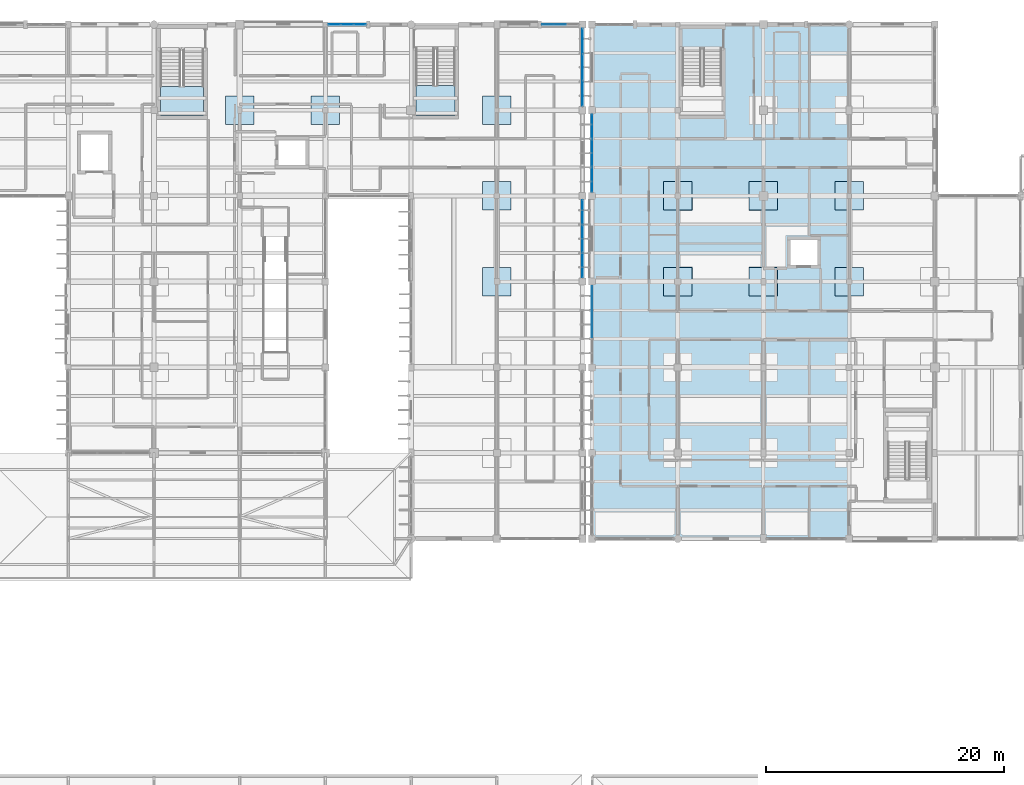
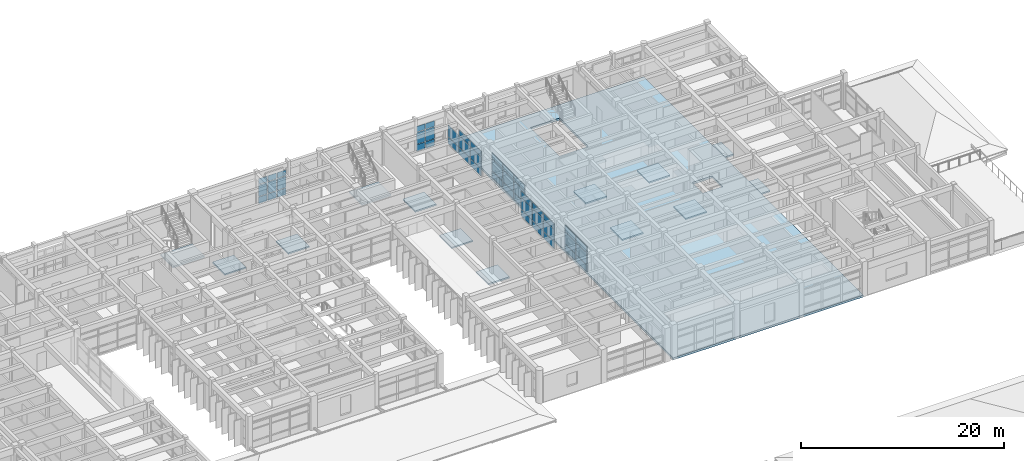
# One storey, part 54 of 100: 47 plates, 14 slabs, 8 elements without a shape of their own.
"""IFC4 building model written with IfcOpenShell, lengths in metres."""

from ifc_helpers import new_model, si_unit, direction, frame, origin, origin_2d, place, context, subcontext, project, spatial, polyline, rectangle, outline, extrude, material, layer, layer_set, type_object, element, aggregate, save


model = new_model("IFC4")

# Units and contexts
model_context = context("Model", 3, precision=1e-05, world=origin(), true_north=direction((0.0, 1.0)))
body_context = subcontext(model_context, "Body", "Model", "MODEL_VIEW")
ifc_project = project(units=[si_unit("LENGTHUNIT", "METRE"), si_unit("AREAUNIT", "SQUARE_METRE"), si_unit("VOLUMEUNIT", "CUBIC_METRE"), si_unit("PLANEANGLEUNIT", "RADIAN"), si_unit("MASSUNIT", "GRAM", prefix="KILO")], contexts=[model_context])

# Site, building, storey
site_placement = place(None, origin())
site = spatial("IfcSite", under=ifc_project, at=site_placement, CompositionType="ELEMENT")
building_placement = place(site_placement, origin())
building = spatial("IfcBuilding", under=site, at=building_placement, Name="Steenspoor Specialist Clinic", CompositionType="ELEMENT")
storey_placement = place(building_placement, frame((0.0, 0.0, 9.0)))
storey = spatial("IfcBuildingStorey", under=building, at=storey_placement, Name="L02", CompositionType="ELEMENT", Elevation=9.0)

# Curtain wall, plates
ifc_material_1 = material(Name="Thermally broken aluminium and low-emissivity glass", Category="aluminium")
curtain_wall_type_1 = type_object("IfcCurtainWallType", Name="CW-TYP-300X355", PredefinedType="USERDEFINED", material=ifc_material_1)
curtain_wall_1_placement = place(storey_placement, origin())
curtain_wall_1 = element("IfcCurtainWall", 1, at=curtain_wall_1_placement, inside=storey, type_object=curtain_wall_type_1, Name="Unitised Curtain Wall CW-V4-L02-087", ObjectType="UNITISED GLAZING", PredefinedType="USERDEFINED")
ifc_material_2 = material(Name="Double low-emissivity insulated glass", Category="glass")
ifc_layer_1 = layer(ifc_material_2, 0.035888671875)
ifc_layer_set_1 = layer_set([ifc_layer_1], Name="Double low-emissivity insulated glass")
plate_type_1 = type_object("IfcPlateType", Name="CW-PAN-GL36", PredefinedType="CURTAIN_PANEL", material=ifc_layer_set_1)
plate_1_placement = place(storey_placement, frame((117.199951171875, 106.933837890625, 0.06494140625), z_axis=(0.0, 0.0, 1.0), x_axis=(0.0, -1.0, 0.0)))
plate_1 = element("IfcPlate", 2, at=plate_1_placement, type_object=plate_type_1, Name="CW-15 panel 1.1", PredefinedType="CURTAIN_PANEL", context=body_context, shape_type="SweptSolid", body=[
    extrude(rectangle(XDim=2.1025390625, YDim=0.035888671875, at=origin_2d()), origin(), (0.0, 0.0, 1.0), 0.802490234375),
])
plate_2_placement = place(storey_placement, frame((117.199951171875, 106.933837890625, 0.9326171875), z_axis=(0.0, 0.0, 1.0), x_axis=(0.0, -1.0, 0.0)))
plate_2 = element("IfcPlate", 3, at=plate_2_placement, type_object=plate_type_1, Name="CW-15 panel 1.2", PredefinedType="CURTAIN_PANEL", context=body_context, shape_type="SweptSolid", body=[
    extrude(rectangle(XDim=2.1025390625, YDim=0.035888671875, at=origin_2d()), origin(), (0.0, 0.0, 1.0), 1.385009765625),
])
plate_3_placement = place(storey_placement, frame((117.199951171875, 104.75, 0.06494140625), z_axis=(0.0, 0.0, 1.0), x_axis=(0.0, -1.0, 0.0)))
plate_3 = element("IfcPlate", 4, at=plate_3_placement, type_object=plate_type_1, Name="CW-15 panel 2.1", PredefinedType="CURTAIN_PANEL", context=body_context, shape_type="SweptSolid", body=[
    extrude(rectangle(XDim=2.135009765625, YDim=0.035888671875, at=origin_2d()), origin(), (0.0, 0.0, 1.0), 0.802490234375),
])
plate_4_placement = place(storey_placement, frame((117.199951171875, 104.75, 0.9326171875), z_axis=(0.0, 0.0, 1.0), x_axis=(0.0, -1.0, 0.0)))
plate_4 = element("IfcPlate", 5, at=plate_4_placement, type_object=plate_type_1, Name="CW-15 panel 2.2", PredefinedType="CURTAIN_PANEL", context=body_context, shape_type="SweptSolid", body=[
    extrude(rectangle(XDim=2.135009765625, YDim=0.035888671875, at=origin_2d()), origin(), (0.0, 0.0, 1.0), 1.385009765625),
])
plate_5_placement = place(storey_placement, frame((117.199951171875, 104.75, 2.38232421875), z_axis=(0.0, 0.0, 1.0), x_axis=(0.0, -1.0, 0.0)))
plate_5 = element("IfcPlate", 6, at=plate_5_placement, type_object=plate_type_1, Name="CW-15 panel 2.3", PredefinedType="CURTAIN_PANEL", context=body_context, shape_type="SweptSolid", body=[
    extrude(rectangle(XDim=2.135009765625, YDim=0.035888671875, at=origin_2d()), origin(), (0.0, 0.0, 1.0), 0.6826171875),
])
plate_6_placement = place(storey_placement, frame((117.199951171875, 102.566162109375, 0.06494140625), z_axis=(0.0, 0.0, 1.0), x_axis=(0.0, -1.0, 0.0)))
plate_6 = element("IfcPlate", 7, at=plate_6_placement, type_object=plate_type_1, Name="CW-15 panel 3.1", PredefinedType="CURTAIN_PANEL", context=body_context, shape_type="SweptSolid", body=[
    extrude(rectangle(XDim=2.1025390625, YDim=0.035888671875, at=origin_2d()), origin(), (0.0, 0.0, 1.0), 0.802490234375),
])
plate_7_placement = place(storey_placement, frame((117.199951171875, 102.566162109375, 0.9326171875), z_axis=(0.0, 0.0, 1.0), x_axis=(0.0, -1.0, 0.0)))
plate_7 = element("IfcPlate", 8, at=plate_7_placement, type_object=plate_type_1, Name="CW-15 panel 3.2", PredefinedType="CURTAIN_PANEL", context=body_context, shape_type="SweptSolid", body=[
    extrude(rectangle(XDim=2.1025390625, YDim=0.035888671875, at=origin_2d()), origin(), (0.0, 0.0, 1.0), 1.385009765625),
])
plate_8_placement = place(storey_placement, frame((117.199951171875, 102.566162109375, 2.38232421875), z_axis=(0.0, 0.0, 1.0), x_axis=(0.0, -1.0, 0.0)))
plate_8 = element("IfcPlate", 9, at=plate_8_placement, type_object=plate_type_1, Name="CW-15 panel 3.3", PredefinedType="CURTAIN_PANEL", context=body_context, shape_type="SweptSolid", body=[
    extrude(rectangle(XDim=2.1025390625, YDim=0.035888671875, at=origin_2d()), origin(), (0.0, 0.0, 1.0), 0.6826171875),
])
aggregate(curtain_wall_1, [plate_1, plate_2, plate_3, plate_4, plate_5, plate_6, plate_7, plate_8])

curtain_wall_type_2 = type_object("IfcCurtainWallType", Name="CW-WLK-520X340", PredefinedType="USERDEFINED", material=ifc_material_1)
curtain_wall_2_placement = place(storey_placement, origin())
curtain_wall_2 = element("IfcCurtainWall", 10, at=curtain_wall_2_placement, inside=storey, type_object=curtain_wall_type_2, Name="Unitised Curtain Wall CW-V6-L02-189", ObjectType="UNITISED GLAZING", PredefinedType="USERDEFINED")
plate_9_placement = place(storey_placement, frame((118.0, 95.3662109375, 0.08984375), z_axis=(0.0, 0.0, 1.0), x_axis=(0.0, 1.0, 0.0)))
plate_9 = element("IfcPlate", 11, at=plate_9_placement, type_object=plate_type_1, Name="CW-21 panel 1.1", PredefinedType="CURTAIN_PANEL", context=body_context, shape_type="SweptSolid", body=[
    extrude(rectangle(XDim=2.1025390625, YDim=0.035888671875, at=origin_2d()), origin(), (0.0, 0.0, 1.0), 0.764892578125),
])
plate_10_placement = place(storey_placement, frame((118.0, 95.3662109375, 0.94482421875), z_axis=(0.0, 0.0, 1.0), x_axis=(0.0, 1.0, 0.0)))
plate_10 = element("IfcPlate", 12, at=plate_10_placement, type_object=plate_type_1, Name="CW-21 panel 1.2", PredefinedType="CURTAIN_PANEL", context=body_context, shape_type="SweptSolid", body=[
    extrude(rectangle(XDim=2.1025390625, YDim=0.035888671875, at=origin_2d()), origin(), (0.0, 0.0, 1.0), 1.360107421875),
])
plate_11_placement = place(storey_placement, frame((118.0, 95.3662109375, 2.39501953125), z_axis=(0.0, 0.0, 1.0), x_axis=(0.0, 1.0, 0.0)))
plate_11 = element("IfcPlate", 13, at=plate_11_placement, type_object=plate_type_1, Name="CW-21 panel 1.3", PredefinedType="CURTAIN_PANEL", context=body_context, shape_type="SweptSolid", body=[
    extrude(rectangle(XDim=2.1025390625, YDim=0.035888671875, at=origin_2d()), origin(), (0.0, 0.0, 1.0), 0.64501953125),
])
plate_12_placement = place(storey_placement, frame((118.0, 97.550048828125, 0.08984375), z_axis=(0.0, 0.0, 1.0), x_axis=(0.0, 1.0, 0.0)))
plate_12 = element("IfcPlate", 14, at=plate_12_placement, type_object=plate_type_1, Name="CW-21 panel 2.1", PredefinedType="CURTAIN_PANEL", context=body_context, shape_type="SweptSolid", body=[
    extrude(rectangle(XDim=2.135009765625, YDim=0.035888671875, at=origin_2d()), origin(), (0.0, 0.0, 1.0), 0.764892578125),
])
plate_13_placement = place(storey_placement, frame((118.0, 97.550048828125, 0.94482421875), z_axis=(0.0, 0.0, 1.0), x_axis=(0.0, 1.0, 0.0)))
plate_13 = element("IfcPlate", 15, at=plate_13_placement, type_object=plate_type_1, Name="CW-21 panel 2.2", PredefinedType="CURTAIN_PANEL", context=body_context, shape_type="SweptSolid", body=[
    extrude(rectangle(XDim=2.135009765625, YDim=0.035888671875, at=origin_2d()), origin(), (0.0, 0.0, 1.0), 1.360107421875),
])
plate_14_placement = place(storey_placement, frame((118.0, 97.550048828125, 2.39501953125), z_axis=(0.0, 0.0, 1.0), x_axis=(0.0, 1.0, 0.0)))
plate_14 = element("IfcPlate", 16, at=plate_14_placement, type_object=plate_type_1, Name="CW-21 panel 2.3", PredefinedType="CURTAIN_PANEL", context=body_context, shape_type="SweptSolid", body=[
    extrude(rectangle(XDim=2.135009765625, YDim=0.035888671875, at=origin_2d()), origin(), (0.0, 0.0, 1.0), 0.64501953125),
])
plate_15_placement = place(storey_placement, frame((118.0, 99.733642578125, 0.08984375), z_axis=(0.0, 0.0, 1.0), x_axis=(0.0, 1.0, 0.0)))
plate_15 = element("IfcPlate", 17, at=plate_15_placement, type_object=plate_type_1, Name="CW-21 panel 3.1", PredefinedType="CURTAIN_PANEL", context=body_context, shape_type="SweptSolid", body=[
    extrude(rectangle(XDim=2.1025390625, YDim=0.035888671875, at=origin_2d()), origin(), (0.0, 0.0, 1.0), 0.764892578125),
])
plate_16_placement = place(storey_placement, frame((118.0, 99.733642578125, 0.94482421875), z_axis=(0.0, 0.0, 1.0), x_axis=(0.0, 1.0, 0.0)))
plate_16 = element("IfcPlate", 18, at=plate_16_placement, type_object=plate_type_1, Name="CW-21 panel 3.2", PredefinedType="CURTAIN_PANEL", context=body_context, shape_type="SweptSolid", body=[
    extrude(rectangle(XDim=2.1025390625, YDim=0.035888671875, at=origin_2d()), origin(), (0.0, 0.0, 1.0), 1.360107421875),
])
plate_17_placement = place(storey_placement, frame((118.0, 99.733642578125, 2.39501953125), z_axis=(0.0, 0.0, 1.0), x_axis=(0.0, 1.0, 0.0)))
plate_17 = element("IfcPlate", 19, at=plate_17_placement, type_object=plate_type_1, Name="CW-21 panel 3.3", PredefinedType="CURTAIN_PANEL", context=body_context, shape_type="SweptSolid", body=[
    extrude(rectangle(XDim=2.1025390625, YDim=0.035888671875, at=origin_2d()), origin(), (0.0, 0.0, 1.0), 0.64501953125),
])
aggregate(curtain_wall_2, [plate_9, plate_10, plate_11, plate_12, plate_13, plate_14, plate_15, plate_16, plate_17])

curtain_wall_type_3 = type_object("IfcCurtainWallType", Name="CW-TYP-420X355", PredefinedType="USERDEFINED", material=ifc_material_1)
curtain_wall_3_placement = place(storey_placement, origin())
curtain_wall_3 = element("IfcCurtainWall", 20, at=curtain_wall_3_placement, inside=storey, type_object=curtain_wall_type_3, Name="Unitised Curtain Wall CW-V4-L02-085", ObjectType="UNITISED GLAZING", PredefinedType="USERDEFINED")
ifc_material_3 = material(Name="Triple acoustic laminated low-emissivity glass", Category="glass")
ifc_layer_2 = layer(ifc_material_3, 0.048095703125)
ifc_layer_set_2 = layer_set([ifc_layer_2], Name="Triple acoustic laminated low-emissivity glass")
plate_type_2 = type_object("IfcPlateType", Name="CW-PAN-GL48", PredefinedType="CURTAIN_PANEL", material=ifc_layer_set_2)
plate_18_placement = place(storey_placement, frame((96.361572265625, 108.35009765625, 0.080078125), z_axis=(0.0, 0.0, 1.0), x_axis=(1.0, 0.0, 0.0)))
plate_18 = element("IfcPlate", 21, at=plate_18_placement, type_object=plate_type_2, Name="CW-13 panel 1.1", PredefinedType="CURTAIN_PANEL", context=body_context, shape_type="SweptSolid", body=[
    extrude(rectangle(XDim=0.96337890625, YDim=0.048095703125, at=origin_2d()), origin(), (0.0, 0.0, 1.0), 0.780029296875),
])
plate_19_placement = place(storey_placement, frame((96.361572265625, 108.35009765625, 0.93994140625), z_axis=(0.0, 0.0, 1.0), x_axis=(1.0, 0.0, 0.0)))
plate_19 = element("IfcPlate", 22, at=plate_19_placement, type_object=plate_type_2, Name="CW-13 panel 1.2", PredefinedType="CURTAIN_PANEL", context=body_context, shape_type="SweptSolid", body=[
    extrude(rectangle(XDim=0.96337890625, YDim=0.048095703125, at=origin_2d()), origin(), (0.0, 0.0, 1.0), 1.3701171875),
])
plate_20_placement = place(storey_placement, frame((96.361572265625, 108.35009765625, 2.39013671875), z_axis=(0.0, 0.0, 1.0), x_axis=(1.0, 0.0, 0.0)))
plate_20 = element("IfcPlate", 23, at=plate_20_placement, type_object=plate_type_2, Name="CW-13 panel 1.3", PredefinedType="CURTAIN_PANEL", context=body_context, shape_type="SweptSolid", body=[
    extrude(rectangle(XDim=0.96337890625, YDim=0.048095703125, at=origin_2d()), origin(), (0.0, 0.0, 1.0), 0.659912109375),
])
plate_21_placement = place(storey_placement, frame((97.425048828125, 108.35009765625, 0.080078125), z_axis=(0.0, 0.0, 1.0), x_axis=(1.0, 0.0, 0.0)))
plate_21 = element("IfcPlate", 24, at=plate_21_placement, type_object=plate_type_2, Name="CW-13 panel 2.1", PredefinedType="CURTAIN_PANEL", context=body_context, shape_type="SweptSolid", body=[
    extrude(rectangle(XDim=1.00341796875, YDim=0.048095703125, at=origin_2d()), origin(), (0.0, 0.0, 1.0), 0.780029296875),
])
plate_22_placement = place(storey_placement, frame((97.425048828125, 108.35009765625, 0.93994140625), z_axis=(0.0, 0.0, 1.0), x_axis=(1.0, 0.0, 0.0)))
plate_22 = element("IfcPlate", 25, at=plate_22_placement, type_object=plate_type_2, Name="CW-13 panel 2.2", PredefinedType="CURTAIN_PANEL", context=body_context, shape_type="SweptSolid", body=[
    extrude(rectangle(XDim=1.00341796875, YDim=0.048095703125, at=origin_2d()), origin(), (0.0, 0.0, 1.0), 1.3701171875),
])
plate_23_placement = place(storey_placement, frame((97.425048828125, 108.35009765625, 2.39013671875), z_axis=(0.0, 0.0, 1.0), x_axis=(1.0, 0.0, 0.0)))
plate_23 = element("IfcPlate", 26, at=plate_23_placement, type_object=plate_type_2, Name="CW-13 panel 2.3", PredefinedType="CURTAIN_PANEL", context=body_context, shape_type="SweptSolid", body=[
    extrude(rectangle(XDim=1.00341796875, YDim=0.048095703125, at=origin_2d()), origin(), (0.0, 0.0, 1.0), 0.659912109375),
])
plate_24_placement = place(storey_placement, frame((98.48828125, 108.35009765625, 0.080078125), z_axis=(0.0, 0.0, 1.0), x_axis=(1.0, 0.0, 0.0)))
plate_24 = element("IfcPlate", 27, at=plate_24_placement, type_object=plate_type_2, Name="CW-13 panel 3.1", PredefinedType="CURTAIN_PANEL", context=body_context, shape_type="SweptSolid", body=[
    extrude(rectangle(XDim=0.96337890625, YDim=0.048095703125, at=origin_2d()), origin(), (0.0, 0.0, 1.0), 0.780029296875),
])
plate_25_placement = place(storey_placement, frame((98.48828125, 108.35009765625, 0.93994140625), z_axis=(0.0, 0.0, 1.0), x_axis=(1.0, 0.0, 0.0)))
plate_25 = element("IfcPlate", 28, at=plate_25_placement, type_object=plate_type_2, Name="CW-13 panel 3.2", PredefinedType="CURTAIN_PANEL", context=body_context, shape_type="SweptSolid", body=[
    extrude(rectangle(XDim=0.96337890625, YDim=0.048095703125, at=origin_2d()), origin(), (0.0, 0.0, 1.0), 1.3701171875),
])
plate_26_placement = place(storey_placement, frame((98.48828125, 108.35009765625, 2.39013671875), z_axis=(0.0, 0.0, 1.0), x_axis=(1.0, 0.0, 0.0)))
plate_26 = element("IfcPlate", 29, at=plate_26_placement, type_object=plate_type_2, Name="CW-13 panel 3.3", PredefinedType="CURTAIN_PANEL", context=body_context, shape_type="SweptSolid", body=[
    extrude(rectangle(XDim=0.96337890625, YDim=0.048095703125, at=origin_2d()), origin(), (0.0, 0.0, 1.0), 0.659912109375),
])
aggregate(curtain_wall_3, [plate_18, plate_19, plate_20, plate_21, plate_22, plate_23, plate_24, plate_25, plate_26])

curtain_wall_type_4 = type_object("IfcCurtainWallType", Name="CW-TYP-240X355", PredefinedType="USERDEFINED", material=ifc_material_1)
curtain_wall_4_placement = place(storey_placement, origin())
curtain_wall_4 = element("IfcCurtainWall", 30, at=curtain_wall_4_placement, inside=storey, type_object=curtain_wall_type_4, Name="Unitised Curtain Wall CW-V4-L02-088", ObjectType="UNITISED GLAZING", PredefinedType="USERDEFINED")
plate_27_placement = place(storey_placement, frame((117.199951171875, 92.534912109375, 0.06005859375), z_axis=(0.0, 0.0, 1.0), x_axis=(0.0, -1.0, 0.0)))
plate_27 = element("IfcPlate", 31, at=plate_27_placement, type_object=plate_type_2, Name="CW-16 panel 1.1", PredefinedType="CURTAIN_PANEL", context=body_context, shape_type="SweptSolid", body=[
    extrude(rectangle(XDim=2.110107421875, YDim=0.048095703125, at=origin_2d()), origin(), (0.0, 0.0, 1.0), 0.81005859375),
])
plate_28_placement = place(storey_placement, frame((117.199951171875, 92.534912109375, 0.93017578125), z_axis=(0.0, 0.0, 1.0), x_axis=(0.0, -1.0, 0.0)))
plate_28 = element("IfcPlate", 32, at=plate_28_placement, type_object=plate_type_2, Name="CW-16 panel 1.2", PredefinedType="CURTAIN_PANEL", context=body_context, shape_type="SweptSolid", body=[
    extrude(rectangle(XDim=2.110107421875, YDim=0.048095703125, at=origin_2d()), origin(), (0.0, 0.0, 1.0), 1.389892578125),
])
plate_29_placement = place(storey_placement, frame((117.199951171875, 92.534912109375, 2.380126953125), z_axis=(0.0, 0.0, 1.0), x_axis=(0.0, -1.0, 0.0)))
plate_29 = element("IfcPlate", 33, at=plate_29_placement, type_object=plate_type_2, Name="CW-16 panel 1.3", PredefinedType="CURTAIN_PANEL", context=body_context, shape_type="SweptSolid", body=[
    extrude(rectangle(XDim=2.110107421875, YDim=0.048095703125, at=origin_2d()), origin(), (0.0, 0.0, 1.0), 0.68994140625),
])
plate_30_placement = place(storey_placement, frame((117.199951171875, 90.35009765625, 0.06005859375), z_axis=(0.0, 0.0, 1.0), x_axis=(0.0, -1.0, 0.0)))
plate_30 = element("IfcPlate", 34, at=plate_30_placement, type_object=plate_type_2, Name="CW-16 panel 2.1", PredefinedType="CURTAIN_PANEL", context=body_context, shape_type="SweptSolid", body=[
    extrude(rectangle(XDim=2.139892578125, YDim=0.048095703125, at=origin_2d()), origin(), (0.0, 0.0, 1.0), 0.81005859375),
])
plate_31_placement = place(storey_placement, frame((117.199951171875, 90.35009765625, 0.93017578125), z_axis=(0.0, 0.0, 1.0), x_axis=(0.0, -1.0, 0.0)))
plate_31 = element("IfcPlate", 35, at=plate_31_placement, type_object=plate_type_2, Name="CW-16 panel 2.2", PredefinedType="CURTAIN_PANEL", context=body_context, shape_type="SweptSolid", body=[
    extrude(rectangle(XDim=2.139892578125, YDim=0.048095703125, at=origin_2d()), origin(), (0.0, 0.0, 1.0), 1.389892578125),
])
plate_32_placement = place(storey_placement, frame((117.199951171875, 90.35009765625, 2.380126953125), z_axis=(0.0, 0.0, 1.0), x_axis=(0.0, -1.0, 0.0)))
plate_32 = element("IfcPlate", 36, at=plate_32_placement, type_object=plate_type_2, Name="CW-16 panel 2.3", PredefinedType="CURTAIN_PANEL", context=body_context, shape_type="SweptSolid", body=[
    extrude(rectangle(XDim=2.139892578125, YDim=0.048095703125, at=origin_2d()), origin(), (0.0, 0.0, 1.0), 0.68994140625),
])
plate_33_placement = place(storey_placement, frame((117.199951171875, 88.1650390625, 0.06005859375), z_axis=(0.0, 0.0, 1.0), x_axis=(0.0, -1.0, 0.0)))
plate_33 = element("IfcPlate", 37, at=plate_33_placement, type_object=plate_type_2, Name="CW-16 panel 3.1", PredefinedType="CURTAIN_PANEL", context=body_context, shape_type="SweptSolid", body=[
    extrude(rectangle(XDim=2.110107421875, YDim=0.048095703125, at=origin_2d()), origin(), (0.0, 0.0, 1.0), 0.81005859375),
])
plate_34_placement = place(storey_placement, frame((117.199951171875, 88.1650390625, 0.93017578125), z_axis=(0.0, 0.0, 1.0), x_axis=(0.0, -1.0, 0.0)))
plate_34 = element("IfcPlate", 38, at=plate_34_placement, type_object=plate_type_2, Name="CW-16 panel 3.2", PredefinedType="CURTAIN_PANEL", context=body_context, shape_type="SweptSolid", body=[
    extrude(rectangle(XDim=2.110107421875, YDim=0.048095703125, at=origin_2d()), origin(), (0.0, 0.0, 1.0), 1.389892578125),
])
plate_35_placement = place(storey_placement, frame((117.199951171875, 88.1650390625, 2.380126953125), z_axis=(0.0, 0.0, 1.0), x_axis=(0.0, -1.0, 0.0)))
plate_35 = element("IfcPlate", 39, at=plate_35_placement, type_object=plate_type_2, Name="CW-16 panel 3.3", PredefinedType="CURTAIN_PANEL", context=body_context, shape_type="SweptSolid", body=[
    extrude(rectangle(XDim=2.110107421875, YDim=0.048095703125, at=origin_2d()), origin(), (0.0, 0.0, 1.0), 0.68994140625),
])
aggregate(curtain_wall_4, [plate_27, plate_28, plate_29, plate_30, plate_31, plate_32, plate_33, plate_34, plate_35])

curtain_wall_type_5 = type_object("IfcCurtainWallType", Name="CW-TYP-360X355", PredefinedType="USERDEFINED", material=ifc_material_1)
curtain_wall_5_placement = place(storey_placement, origin())
curtain_wall_5 = element("IfcCurtainWall", 40, at=curtain_wall_5_placement, inside=storey, type_object=curtain_wall_type_5, Name="Unitised Curtain Wall CW-V4-L02-086", ObjectType="UNITISED GLAZING", PredefinedType="USERDEFINED")
ifc_material_4 = material(Name="Insulated glazed ceramic spandrel panel", Category="glass")
ifc_layer_3 = layer(ifc_material_4, 0.074951171875)
ifc_layer_set_3 = layer_set([ifc_layer_3], Name="Insulated glazed ceramic spandrel panel")
plate_type_3 = type_object("IfcPlateType", Name="CW-PAN-SP75", PredefinedType="CURTAIN_PANEL", material=ifc_layer_set_3)
plate_36_placement = place(storey_placement, frame((114.2841796875, 108.35009765625, 0.070068359375), z_axis=(0.0, 0.0, 1.0), x_axis=(1.0, 0.0, 0.0)))
plate_36 = element("IfcPlate", 41, at=plate_36_placement, type_object=plate_type_3, Name="CW-14 panel 1.1", PredefinedType="CURTAIN_PANEL", context=body_context, shape_type="SweptSolid", body=[
    extrude(rectangle(XDim=0.9482421875, YDim=0.074951171875, at=origin_2d()), origin(), (0.0, 0.0, 1.0), 0.794921875),
])
plate_37_placement = place(storey_placement, frame((114.2841796875, 108.35009765625, 0.93505859375), z_axis=(0.0, 0.0, 1.0), x_axis=(1.0, 0.0, 0.0)))
plate_37 = element("IfcPlate", 42, at=plate_37_placement, type_object=plate_type_3, Name="CW-14 panel 1.2", PredefinedType="CURTAIN_PANEL", context=body_context, shape_type="SweptSolid", body=[
    extrude(rectangle(XDim=0.9482421875, YDim=0.074951171875, at=origin_2d()), origin(), (0.0, 0.0, 1.0), 1.3798828125),
])
plate_38_placement = place(storey_placement, frame((114.2841796875, 108.35009765625, 2.384765625), z_axis=(0.0, 0.0, 1.0), x_axis=(1.0, 0.0, 0.0)))
plate_38 = element("IfcPlate", 43, at=plate_38_placement, type_object=plate_type_3, Name="CW-14 panel 1.3", PredefinedType="CURTAIN_PANEL", context=body_context, shape_type="SweptSolid", body=[
    extrude(rectangle(XDim=0.9482421875, YDim=0.074951171875, at=origin_2d()), origin(), (0.0, 0.0, 1.0), 0.675048828125),
])
plate_39_placement = place(storey_placement, frame((115.320068359375, 108.35009765625, 0.070068359375), z_axis=(0.0, 0.0, 1.0), x_axis=(1.0, 0.0, 0.0)))
plate_39 = element("IfcPlate", 44, at=plate_39_placement, type_object=plate_type_3, Name="CW-14 panel 2.1", PredefinedType="CURTAIN_PANEL", context=body_context, shape_type="SweptSolid", body=[
    extrude(rectangle(XDim=0.9833984375, YDim=0.074951171875, at=origin_2d()), origin(), (0.0, 0.0, 1.0), 0.794921875),
])
plate_40_placement = place(storey_placement, frame((115.320068359375, 108.35009765625, 0.93505859375), z_axis=(0.0, 0.0, 1.0), x_axis=(1.0, 0.0, 0.0)))
plate_40 = element("IfcPlate", 45, at=plate_40_placement, type_object=plate_type_3, Name="CW-14 panel 2.2", PredefinedType="CURTAIN_PANEL", context=body_context, shape_type="SweptSolid", body=[
    extrude(rectangle(XDim=0.9833984375, YDim=0.074951171875, at=origin_2d()), origin(), (0.0, 0.0, 1.0), 1.3798828125),
])
plate_41_placement = place(storey_placement, frame((115.320068359375, 108.35009765625, 2.384765625), z_axis=(0.0, 0.0, 1.0), x_axis=(1.0, 0.0, 0.0)))
plate_41 = element("IfcPlate", 46, at=plate_41_placement, type_object=plate_type_3, Name="CW-14 panel 2.3", PredefinedType="CURTAIN_PANEL", context=body_context, shape_type="SweptSolid", body=[
    extrude(rectangle(XDim=0.9833984375, YDim=0.074951171875, at=origin_2d()), origin(), (0.0, 0.0, 1.0), 0.675048828125),
])
aggregate(curtain_wall_5, [plate_36, plate_37, plate_38, plate_39, plate_40, plate_41])

curtain_wall_type_6 = type_object("IfcCurtainWallType", Name="CW-WLK-640X340", PredefinedType="USERDEFINED", material=ifc_material_1)
curtain_wall_6_placement = place(storey_placement, origin())
curtain_wall_6 = element("IfcCurtainWall", 47, at=curtain_wall_6_placement, inside=storey, type_object=curtain_wall_type_6, Name="Unitised Curtain Wall CW-V6-L02-188", ObjectType="UNITISED GLAZING", PredefinedType="USERDEFINED")
plate_42_placement = place(storey_placement, frame((118.0, 83.14990234375, 0.06005859375), z_axis=(0.0, 0.0, 1.0), x_axis=(0.0, 1.0, 0.0)))
plate_42 = element("IfcPlate", 48, at=plate_42_placement, type_object=plate_type_3, Name="CW-20 panel 2.1", PredefinedType="CURTAIN_PANEL", context=body_context, shape_type="SweptSolid", body=[
    extrude(rectangle(XDim=2.1298828125, YDim=0.074951171875, at=origin_2d()), origin(), (0.0, 0.0, 1.0), 0.81005859375),
])
plate_43_placement = place(storey_placement, frame((118.0, 83.14990234375, 0.93017578125), z_axis=(0.0, 0.0, 1.0), x_axis=(0.0, 1.0, 0.0)))
plate_43 = element("IfcPlate", 49, at=plate_43_placement, type_object=plate_type_3, Name="CW-20 panel 2.2", PredefinedType="CURTAIN_PANEL", context=body_context, shape_type="SweptSolid", body=[
    extrude(rectangle(XDim=2.1298828125, YDim=0.074951171875, at=origin_2d()), origin(), (0.0, 0.0, 1.0), 1.389892578125),
])
plate_44_placement = place(storey_placement, frame((118.0, 83.14990234375, 2.380126953125), z_axis=(0.0, 0.0, 1.0), x_axis=(0.0, 1.0, 0.0)))
plate_44 = element("IfcPlate", 50, at=plate_44_placement, type_object=plate_type_3, Name="CW-20 panel 2.3", PredefinedType="CURTAIN_PANEL", context=body_context, shape_type="SweptSolid", body=[
    extrude(rectangle(XDim=2.1298828125, YDim=0.074951171875, at=origin_2d()), origin(), (0.0, 0.0, 1.0), 0.68994140625),
])
plate_45_placement = place(storey_placement, frame((118.0, 85.33251953125, 0.06005859375), z_axis=(0.0, 0.0, 1.0), x_axis=(0.0, 1.0, 0.0)))
plate_45 = element("IfcPlate", 51, at=plate_45_placement, type_object=plate_type_3, Name="CW-20 panel 3.1", PredefinedType="CURTAIN_PANEL", context=body_context, shape_type="SweptSolid", body=[
    extrude(rectangle(XDim=2.094970703125, YDim=0.074951171875, at=origin_2d()), origin(), (0.0, 0.0, 1.0), 0.81005859375),
])
plate_46_placement = place(storey_placement, frame((118.0, 85.33251953125, 0.93017578125), z_axis=(0.0, 0.0, 1.0), x_axis=(0.0, 1.0, 0.0)))
plate_46 = element("IfcPlate", 52, at=plate_46_placement, type_object=plate_type_3, Name="CW-20 panel 3.2", PredefinedType="CURTAIN_PANEL", context=body_context, shape_type="SweptSolid", body=[
    extrude(rectangle(XDim=2.094970703125, YDim=0.074951171875, at=origin_2d()), origin(), (0.0, 0.0, 1.0), 1.389892578125),
])
plate_47_placement = place(storey_placement, frame((118.0, 85.33251953125, 2.380126953125), z_axis=(0.0, 0.0, 1.0), x_axis=(0.0, 1.0, 0.0)))
plate_47 = element("IfcPlate", 53, at=plate_47_placement, type_object=plate_type_3, Name="CW-20 panel 3.3", PredefinedType="CURTAIN_PANEL", context=body_context, shape_type="SweptSolid", body=[
    extrude(rectangle(XDim=2.094970703125, YDim=0.074951171875, at=origin_2d()), origin(), (0.0, 0.0, 1.0), 0.68994140625),
])
aggregate(curtain_wall_6, [plate_42, plate_43, plate_44, plate_45, plate_46, plate_47])

# Slabs
ifc_material_5 = material(Name="Concrete C35/45", Category="concrete")
ifc_layer_4 = layer(ifc_material_5, 0.169921875)
ifc_layer_set_4 = layer_set([ifc_layer_4], Name="Concrete C35/45")
slab_type_1 = type_object("IfcSlabType", Name="SL-DROP-170", PredefinedType="USERDEFINED", material=ifc_layer_set_4)
slab_1_placement = place(storey_placement, frame((0.0, 0.0, -0.419921875)))
element("IfcSlab", 54, at=slab_1_placement, inside=storey, type_object=slab_type_1, Name="Column Drop Panel DROP-V4-L02-048", ObjectType="DROP PANEL", PredefinedType="USERDEFINED", context=body_context, shape_type="SweptSolid", body=[
    extrude(outline(polyline([(89.60009765625, 99.949951171875), (89.60009765625, 102.35009765625), (87.199951171875, 102.35009765625), (87.199951171875, 99.949951171875), (89.60009765625, 99.949951171875)])), origin(), (0.0, 0.0, 1.0), 0.169921875),
])
slab_2_placement = place(storey_placement, frame((0.0, 0.0, -0.419921875)))
element("IfcSlab", 55, at=slab_2_placement, inside=storey, type_object=slab_type_1, Name="Column Drop Panel DROP-V4-L02-049", ObjectType="DROP PANEL", PredefinedType="USERDEFINED", context=body_context, shape_type="SweptSolid", body=[
    extrude(outline(polyline([(96.800048828125, 99.949951171875), (96.800048828125, 102.35009765625), (94.39990234375, 102.35009765625), (94.39990234375, 99.949951171875), (96.800048828125, 99.949951171875)])), origin(), (0.0, 0.0, 1.0), 0.169921875),
])
slab_3_placement = place(storey_placement, frame((0.0, 0.0, -0.419921875)))
element("IfcSlab", 56, at=slab_3_placement, inside=storey, type_object=slab_type_1, Name="Column Drop Panel DROP-V4-L02-052", ObjectType="DROP PANEL", PredefinedType="USERDEFINED", context=body_context, shape_type="SweptSolid", body=[
    extrude(outline(polyline([(111.199951171875, 85.550048828125), (111.199951171875, 87.949951171875), (108.800048828125, 87.949951171875), (108.800048828125, 85.550048828125), (111.199951171875, 85.550048828125)])), origin(), (0.0, 0.0, 1.0), 0.169921875),
])
slab_4_placement = place(storey_placement, frame((0.0, 0.0, -0.419921875)))
element("IfcSlab", 57, at=slab_4_placement, inside=storey, type_object=slab_type_1, Name="Column Drop Panel DROP-V4-L02-053", ObjectType="DROP PANEL", PredefinedType="USERDEFINED", context=body_context, shape_type="SweptSolid", body=[
    extrude(outline(polyline([(111.199951171875, 92.75), (111.199951171875, 95.14990234375), (108.800048828125, 95.14990234375), (108.800048828125, 92.75), (111.199951171875, 92.75)])), origin(), (0.0, 0.0, 1.0), 0.169921875),
])
slab_5_placement = place(storey_placement, frame((0.0, 0.0, -0.419921875)))
element("IfcSlab", 58, at=slab_5_placement, inside=storey, type_object=slab_type_1, Name="Column Drop Panel DROP-V4-L02-054", ObjectType="DROP PANEL", PredefinedType="USERDEFINED", context=body_context, shape_type="SweptSolid", body=[
    extrude(outline(polyline([(111.199951171875, 99.949951171875), (111.199951171875, 102.35009765625), (108.800048828125, 102.35009765625), (108.800048828125, 99.949951171875), (111.199951171875, 99.949951171875)])), origin(), (0.0, 0.0, 1.0), 0.169921875),
])
slab_6_placement = place(storey_placement, frame((0.0, 0.0, -0.419921875)))
element("IfcSlab", 59, at=slab_6_placement, inside=storey, type_object=slab_type_1, Name="Column Drop Panel DROP-V6-L02-146", ObjectType="DROP PANEL", PredefinedType="USERDEFINED", context=body_context, shape_type="SweptSolid", body=[
    extrude(outline(polyline([(126.39990234375, 85.550048828125), (126.39990234375, 87.949951171875), (124.0, 87.949951171875), (124.0, 85.550048828125), (126.39990234375, 85.550048828125)])), origin(), (0.0, 0.0, 1.0), 0.169921875),
])
slab_7_placement = place(storey_placement, frame((0.0, 0.0, -0.419921875)))
element("IfcSlab", 60, at=slab_7_placement, inside=storey, type_object=slab_type_1, Name="Column Drop Panel DROP-V6-L02-147", ObjectType="DROP PANEL", PredefinedType="USERDEFINED", context=body_context, shape_type="SweptSolid", body=[
    extrude(outline(polyline([(126.39990234375, 92.75), (126.39990234375, 95.14990234375), (124.0, 95.14990234375), (124.0, 92.75), (126.39990234375, 92.75)])), origin(), (0.0, 0.0, 1.0), 0.169921875),
])
slab_8_placement = place(storey_placement, frame((0.0, 0.0, -0.419921875)))
element("IfcSlab", 61, at=slab_8_placement, inside=storey, type_object=slab_type_1, Name="Column Drop Panel DROP-V6-L02-150", ObjectType="DROP PANEL", PredefinedType="USERDEFINED", context=body_context, shape_type="SweptSolid", body=[
    extrude(outline(polyline([(133.60009765625, 85.550048828125), (133.60009765625, 87.949951171875), (131.199951171875, 87.949951171875), (131.199951171875, 85.550048828125), (133.60009765625, 85.550048828125)])), origin(), (0.0, 0.0, 1.0), 0.169921875),
])
slab_9_placement = place(storey_placement, frame((0.0, 0.0, -0.419921875)))
element("IfcSlab", 62, at=slab_9_placement, inside=storey, type_object=slab_type_1, Name="Column Drop Panel DROP-V6-L02-151", ObjectType="DROP PANEL", PredefinedType="USERDEFINED", context=body_context, shape_type="SweptSolid", body=[
    extrude(outline(polyline([(133.60009765625, 92.75), (133.60009765625, 95.14990234375), (131.199951171875, 95.14990234375), (131.199951171875, 92.75), (133.60009765625, 92.75)])), origin(), (0.0, 0.0, 1.0), 0.169921875),
])
slab_10_placement = place(storey_placement, frame((0.0, 0.0, -0.419921875)))
element("IfcSlab", 63, at=slab_10_placement, inside=storey, type_object=slab_type_1, Name="Column Drop Panel DROP-V6-L02-155", ObjectType="DROP PANEL", PredefinedType="USERDEFINED", context=body_context, shape_type="SweptSolid", body=[
    extrude(outline(polyline([(140.800048828125, 85.550048828125), (140.800048828125, 87.949951171875), (138.39990234375, 87.949951171875), (138.39990234375, 85.550048828125), (140.800048828125, 85.550048828125)])), origin(), (0.0, 0.0, 1.0), 0.169921875),
])
slab_11_placement = place(storey_placement, frame((0.0, 0.0, -0.419921875)))
element("IfcSlab", 64, at=slab_11_placement, inside=storey, type_object=slab_type_1, Name="Column Drop Panel DROP-V6-L02-156", ObjectType="DROP PANEL", PredefinedType="USERDEFINED", context=body_context, shape_type="SweptSolid", body=[
    extrude(outline(polyline([(140.800048828125, 92.75), (140.800048828125, 95.14990234375), (138.39990234375, 95.14990234375), (138.39990234375, 92.75), (140.800048828125, 92.75)])), origin(), (0.0, 0.0, 1.0), 0.169921875),
])
ifc_layer_5 = layer(ifc_material_5, 0.25)
ifc_layer_set_5 = layer_set([ifc_layer_5], Name="Concrete C35/45")
slab_type_2 = type_object("IfcSlabType", Name="SL-FLAT-250", PredefinedType="FLOOR", material=ifc_layer_set_5)
slab_12_placement = place(storey_placement, frame((0.0, 0.0, -0.25)))
element("IfcSlab", 65, at=slab_12_placement, inside=storey, type_object=slab_type_2, Name="Structural Slab SLAB-V6-L02-048", PredefinedType="FLOOR", context=body_context, shape_type="SweptSolid", body=[
    extrude(outline(polyline([(118.0, 65.14990234375), (118.0, 93.949951171875), (118.0, 108.35009765625), (139.60009765625, 108.35009765625), (139.60009765625, 65.14990234375), (118.0, 65.14990234375)]), holes=[polyline([(134.675048828125, 90.25), (134.675048828125, 88.14990234375), (136.925048828125, 88.14990234375), (136.925048828125, 90.25), (134.675048828125, 90.25)]), polyline([(125.60009765625, 106.35009765625), (125.60009765625, 100.699951171875), (128.89990234375, 100.699951171875), (128.89990234375, 106.35009765625), (125.60009765625, 106.35009765625)])]), origin(), (0.0, 0.0, 1.0), 0.25),
])

# Stair, slab
stair_type_1 = type_object("IfcStairType", Name="ST-CORE-TYP", PredefinedType="HALF_TURN_STAIR", material=ifc_material_5)
stair_1_placement = place(storey_placement, origin())
stair_1 = element("IfcStair", 66, at=stair_1_placement, inside=storey, type_object=stair_type_1, Name="L02 Enclosed Exit Stair ST-V4B", PredefinedType="HALF_TURN_STAIR")
ifc_layer_6 = layer(ifc_material_5, 0.199951171875)
ifc_layer_set_6 = layer_set([ifc_layer_6], Name="Concrete C35/45")
slab_type_3 = type_object("IfcSlabType", Name="SL-LAND-200", PredefinedType="LANDING", material=ifc_layer_set_6)
slab_13_placement = place(storey_placement, frame((0.0, 0.0, 1.89990234375)))
slab_13 = element("IfcSlab", 67, at=slab_13_placement, type_object=slab_type_3, Name="ST-V4B landing 1", PredefinedType="LANDING", context=body_context, shape_type="SweptSolid", body=[
    extrude(outline(polyline([(103.199951171875, 103.215087890625), (103.199951171875, 100.699951171875), (106.5, 100.699951171875), (106.5, 103.215087890625), (103.199951171875, 103.215087890625)])), origin(), (0.0, 0.0, 1.0), 0.2001953125),
])
aggregate(stair_1, [slab_13])

stair_type_2 = type_object("IfcStairType", Name="ST-CORE-WD", PredefinedType="HALF_TURN_STAIR", material=ifc_material_5)
stair_2_placement = place(storey_placement, origin())
stair_2 = element("IfcStair", 68, at=stair_2_placement, inside=storey, type_object=stair_type_2, Name="L02 Enclosed Exit Stair ST-V4C", PredefinedType="HALF_TURN_STAIR")
slab_14_placement = place(storey_placement, frame((0.0, 0.0, 1.89990234375)))
slab_14 = element("IfcSlab", 69, at=slab_14_placement, type_object=slab_type_3, Name="ST-V4C landing 1", PredefinedType="LANDING", context=body_context, shape_type="SweptSolid", body=[
    extrude(outline(polyline([(81.75, 103.14501953125), (81.75, 100.699951171875), (85.35009765625, 100.699951171875), (85.35009765625, 103.14501953125), (81.75, 103.14501953125)])), origin(), (0.0, 0.0, 1.0), 0.2001953125),
])
aggregate(stair_2, [slab_14])

save(model, "model.ifc")
